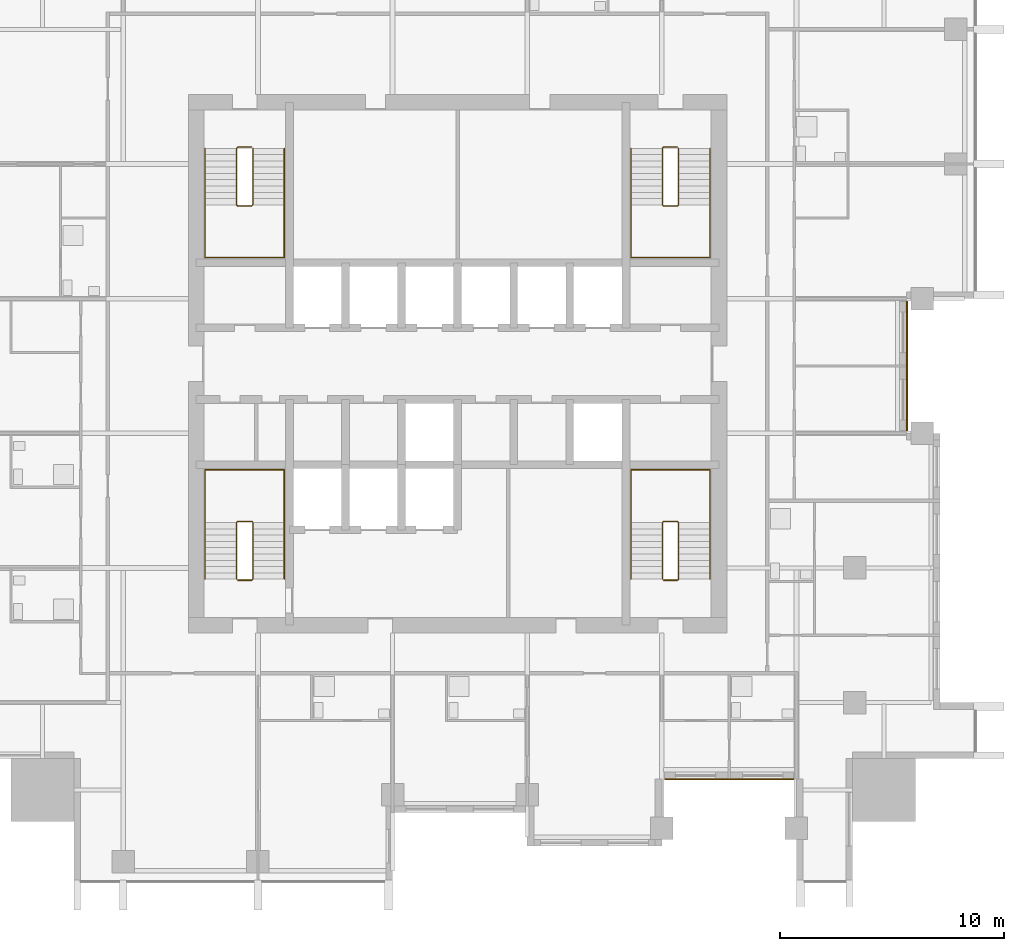
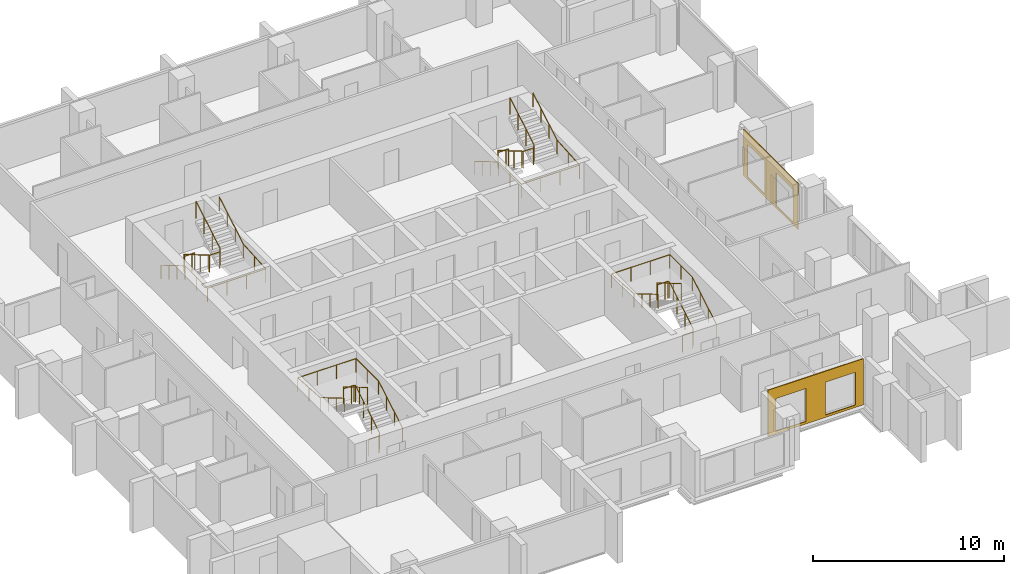
# One storey, part 9 of 10: 8 railings, 2 coverings.
"""IFC4 building model written with IfcOpenShell, lengths in metres."""

import ifcopenshell
import ifcopenshell.guid

model = None  # the IFC model being written
_history = None  # IfcOwnerHistory: only IFC2X3 demands one
_inside = {}  # id of a spatial element -> (the spatial element, [elements in it])
_under = {}  # id of a project, library or spatial element -> (it, [spatial elements below it])
_declared = {}  # id of a project -> (the project, [libraries it declares])
_typed = {}  # id of a type object -> (the type object, [elements of that type])
_made_of = {}  # id of a material, layer set ... -> (it, [elements and type objects made of it])


def new_model(schema):
    """Start an empty IFC model of exactly this schema.

    Asked for "IFC4X3", IfcOpenShell would pick the latest addendum, in which some entities
    have other attributes; the version numbers below select the first issue.
    IFC2X3 requires an IfcOwnerHistory on every rooted entity: one is made here for all.
    """
    global model, _history
    if schema == "IFC4X3":
        model = ifcopenshell.file(schema_version=(4, 3, 0, 0))
    else:
        model = ifcopenshell.file(schema=schema)
    _inside.clear()
    _under.clear()
    _declared.clear()
    _typed.clear()
    _made_of.clear()
    _history = None
    if model.schema == "IFC2X3":
        org = make("IfcOrganization", Name="unknown")
        user = make(
            "IfcPersonAndOrganization",
            ThePerson=make("IfcPerson", FamilyName="unknown"),
            TheOrganization=org,
        )
        app = make(
            "IfcApplication",
            ApplicationDeveloper=org,
            Version="unknown",
            ApplicationFullName="unknown",
            ApplicationIdentifier="unknown",
        )
        _history = make(
            "IfcOwnerHistory",
            OwningUser=user,
            OwningApplication=app,
            ChangeAction="ADDED",
            CreationDate=0,
        )
    return model


def make(cls, **values):
    """One entity of the class cls with the attributes given. An attribute that is None is left unset."""
    return model.create_entity(
        cls, **{name: value for name, value in values.items() if value is not None}
    )


def rooted(cls, **values):
    """An entity with a GlobalId (a new one), such as an element, a storey or a relation."""
    return make(cls, GlobalId=ifcopenshell.guid.new(), OwnerHistory=_history, **values)


def si_unit(unit_type, name, prefix=None):
    """IfcSIUnit, for example si_unit("LENGTHUNIT", "METRE", prefix="MILLI")."""
    return make("IfcSIUnit", UnitType=unit_type, Prefix=prefix, Name=name)


def assignment(units):
    """IfcUnitAssignment: the units of a project."""
    return None if units is None else make("IfcUnitAssignment", Units=units)


def point(xyz):
    """IfcCartesianPoint."""
    return None if xyz is None else make("IfcCartesianPoint", Coordinates=xyz)


def direction(xyz):
    """IfcDirection."""
    return None if xyz is None else make("IfcDirection", DirectionRatios=xyz)


def frame(location, z_axis=None, x_axis=None):
    """IfcAxis2Placement3D, a coordinate frame: its origin and axes. An axis left out is left unset."""
    return make(
        "IfcAxis2Placement3D",
        Location=point(location),
        Axis=direction(z_axis),
        RefDirection=direction(x_axis),
    )


def frame_2d(location, x_axis=None):
    """IfcAxis2Placement2D, a coordinate frame in the plane: its origin and x axis."""
    return make(
        "IfcAxis2Placement2D", Location=point(location), RefDirection=direction(x_axis)
    )


def origin():
    """The frame at (0, 0, 0) with its axes left unset."""
    return frame((0.0, 0.0, 0.0))


def origin_2d():
    """The frame at (0, 0) in the plane with its x axis left unset."""
    return frame_2d((0.0, 0.0))


def place(relative_to, where):
    """IfcLocalPlacement: puts the frame where relative to a parent placement (None: the world)."""
    return make(
        "IfcLocalPlacement", PlacementRelTo=relative_to, RelativePlacement=where
    )


def context(
    kind, dimensions, precision=None, world=None, true_north=None, identifier=None
):
    """IfcGeometricRepresentationContext, for example the 3D "Model" context."""
    return make(
        "IfcGeometricRepresentationContext",
        ContextIdentifier=identifier,
        ContextType=kind,
        CoordinateSpaceDimension=dimensions,
        Precision=precision,
        WorldCoordinateSystem=world,
        TrueNorth=true_north,
    )


def subcontext(parent, identifier, kind, view, scale=None):
    """IfcGeometricRepresentationSubContext, for example "Body" below "Model"."""
    return make(
        "IfcGeometricRepresentationSubContext",
        ContextIdentifier=identifier,
        ContextType=kind,
        ParentContext=parent,
        TargetScale=scale,
        TargetView=view,
    )


def project(units=None, contexts=None):
    """IfcProject with its units and contexts."""
    return rooted(
        "IfcProject",
        Name="project",
        RepresentationContexts=contexts,
        UnitsInContext=assignment(units),
    )


def spatial(cls, under=None, at=None, **own):
    """A site, building, storey or space (cls), placed at a placement, below another one or the project."""
    s = rooted(cls, ObjectPlacement=at, **own)
    if under is not None:
        _under.setdefault(under.id(), (under, []))[1].append(s)
    return s


def polyline(points):
    """IfcPolyline through the points."""
    return make("IfcPolyline", Points=[point(p) for p in points])


def profile(cls, at=None, kind="AREA", **sizes):
    """A parametric profile (cls). Its sizes go by their IFC names, for example OverallWidth=200.0."""
    return make(cls, ProfileType=kind, Position=at, **sizes)


def circle(**sizes):
    """IfcCircleProfileDef."""
    return profile("IfcCircleProfileDef", **sizes)


def outline(outer, holes=None, kind="AREA"):
    """IfcArbitraryClosedProfileDef: a profile drawn as a closed curve; with holes, ...WithVoids."""
    if holes is None:
        return make("IfcArbitraryClosedProfileDef", ProfileType=kind, OuterCurve=outer)
    return make(
        "IfcArbitraryProfileDefWithVoids",
        ProfileType=kind,
        OuterCurve=outer,
        InnerCurves=holes,
    )


def extrude(swept, where, along, depth):
    """IfcExtrudedAreaSolid: the profile swept, set in the frame where, extruded along a direction by depth."""
    return make(
        "IfcExtrudedAreaSolid",
        SweptArea=swept,
        Position=where,
        ExtrudedDirection=direction(along),
        Depth=depth,
    )


def shape(context_of_items, identifier, shape_type, items):
    """IfcShapeRepresentation: the items that make up one representation, for example the "Body"."""
    return make(
        "IfcShapeRepresentation",
        ContextOfItems=context_of_items,
        RepresentationIdentifier=identifier,
        RepresentationType=shape_type,
        Items=items,
    )


def material(Name=None, Category=None):
    """IfcMaterial."""
    return make("IfcMaterial", Name=Name, Category=Category)


def layer(
    of_material, thickness, ventilated=None, Name=None, Category=None, Priority=None
):
    """IfcMaterialLayer: one layer of a wall or slab, of a material (None: an air gap)."""
    return make(
        "IfcMaterialLayer",
        Material=of_material,
        LayerThickness=thickness,
        IsVentilated=ventilated,
        Name=Name,
        Category=Category,
        Priority=Priority,
    )


def layer_set(layers, Name=None):
    """IfcMaterialLayerSet."""
    return make("IfcMaterialLayerSet", MaterialLayers=layers, LayerSetName=Name)


def made_of(thing, what):
    """Note that an element or type object is made of a material, layer set ...; save() writes the relation."""
    if what is not None:
        _made_of.setdefault(what.id(), (what, []))[1].append(thing)
    return thing


def type_object(cls, material=None, **own):
    """A type object (cls), such as IfcWallType, which elements share."""
    return made_of(rooted(cls, **own), material)


def element(
    cls,
    number,
    at=None,
    inside=None,
    cuts=None,
    type_object=None,
    material=None,
    context=None,
    identifier="Body",
    shape_type=None,
    held_by="IfcProductDefinitionShape",
    body=None,
    shapes=None,
    **own,
):
    """One element of the class cls, such as IfcWall. Its Tag is "e" and its number.

    at: its placement. inside: the storey or other place that contains it. cuts: it is an
    opening in that element (IfcRelVoidsElement). A single representation is given by context,
    identifier, shape_type and body (its items); several are given by shapes. held_by: the class
    of the entity that holds the representations. save() writes the other relations.
    """
    e = rooted(cls, Tag="e%d" % number, ObjectPlacement=at, **own)
    if body is not None:
        shapes = [shape(context, identifier, shape_type, body)]
    if shapes is not None:
        e.Representation = make(held_by, Representations=shapes)
    if inside is not None:
        _inside.setdefault(inside.id(), (inside, []))[1].append(e)
    if cuts is not None:
        rooted(
            "IfcRelVoidsElement", RelatingBuildingElement=cuts, RelatedOpeningElement=e
        )
    if type_object is not None:
        _typed.setdefault(type_object.id(), (type_object, []))[1].append(e)
    return made_of(e, material)


def aggregate(whole, parts):
    """IfcRelAggregates: a whole, such as a stair, and the parts it consists of."""
    return rooted("IfcRelAggregates", RelatingObject=whole, RelatedObjects=parts)


def save(model, path):
    """Write the relations noted so far, then the file.

    IfcRelAggregates (storeys below a building ...), IfcRelContainedInSpatialStructure (elements
    in a storey), IfcRelDefinesByType, IfcRelAssociatesMaterial and IfcRelDeclares: one each for
    every whole, place, type object, material and project.
    """
    for whole, parts in _under.values():
        aggregate(whole, parts)
    for where, things in _inside.values():
        rooted(
            "IfcRelContainedInSpatialStructure",
            RelatedElements=things,
            RelatingStructure=where,
        )
    for kind, things in _typed.values():
        rooted("IfcRelDefinesByType", RelatedObjects=things, RelatingType=kind)
    for what, things in _made_of.values():
        rooted("IfcRelAssociatesMaterial", RelatedObjects=things, RelatingMaterial=what)
    for by, libraries in _declared.values():
        rooted("IfcRelDeclares", RelatingContext=by, RelatedDefinitions=libraries)
    model.write(path)


model = new_model("IFC4")

# Units and contexts
model_context = context("Model", 3, precision=1e-05, world=origin(), true_north=direction((0.0, 1.0)))
body_context = subcontext(model_context, "Body", "Model", "MODEL_VIEW")
ifc_project = project(units=[si_unit("LENGTHUNIT", "METRE"), si_unit("AREAUNIT", "SQUARE_METRE"), si_unit("VOLUMEUNIT", "CUBIC_METRE"), si_unit("PLANEANGLEUNIT", "RADIAN"), si_unit("MASSUNIT", "GRAM", prefix="KILO")], contexts=[model_context])

# Site, building, storey
site_placement = place(None, origin())
site = spatial("IfcSite", under=ifc_project, at=site_placement, CompositionType="ELEMENT")
building_placement = place(site_placement, origin())
building = spatial("IfcBuilding", under=site, at=building_placement, Name="Amberfall Residences", CompositionType="ELEMENT")
storey_placement = place(building_placement, frame((0.0, 0.0, 174.699951171875)))
storey = spatial("IfcBuildingStorey", under=building, at=storey_placement, Name="L47", CompositionType="ELEMENT", Elevation=174.699951171875)

# Coverings
ifc_material_1 = material(Name="Pale limestone cladding", Category="masonry")
ifc_layer = layer(ifc_material_1, 0.050048828125)
ifc_layer_set = layer_set([ifc_layer], Name="Limestone fascia 50")
covering_type = type_object("IfcCoveringType", Name="Limestone fascia 50", PredefinedType="CLADDING", material=ifc_layer_set)
for number, where, z_axis, x_axis, name in (
    (1, (83.719970703125, 27.0, 2.949951171875), (0.0, 1.0, 0.0), (1.0, 0.0, 0.0), "Pale limestone cladding L47 S"),
    (2, (94.5, 42.52001953125, 2.949951171875), (-1.0, 0.0, 0.0), (0.0, 1.0, 0.0), "Pale limestone cladding L47 E"),
):
    element("IfcCovering", number, at=place(storey_placement, frame(where, z_axis=z_axis, x_axis=x_axis)), inside=storey, type_object=covering_type, Name=name, PredefinedType="CLADDING", context=body_context, shape_type="SweptSolid", body=[
        extrude(outline(polyline([(0.0, 0.0), (5.760009765625, 0.0), (5.760009765625, 2.949951171875), (0.0, 2.949951171875), (0.0, 0.0)]), holes=[polyline([(0.47998046875, 0.699951171875), (2.280029296875, 0.699951171875), (2.280029296875, 2.7998046875), (0.47998046875, 2.7998046875), (0.47998046875, 0.699951171875)]), polyline([(3.47998046875, 0.699951171875), (5.280029296875, 0.699951171875), (5.280029296875, 2.7998046875), (3.47998046875, 2.7998046875), (3.47998046875, 0.699951171875)])]), origin(), (0.0, 0.0, -1.0), 0.050048828125),
    ])

# Railings
ifc_material_2 = material(Name="Stainless steel 316", Category="steel")
railing_type_1 = type_object("IfcRailingType", Name="Stair guard 1100", PredefinedType="GUARDRAIL", material=ifc_material_2)
railing_1_placement = place(storey_placement, frame((64.699951171875, 35.85009765625, 0.0)))
element("IfcRailing", 3, at=railing_1_placement, inside=storey, type_object=railing_type_1, Name="L47 stair 1 guard", PredefinedType="GUARDRAIL", context=body_context, shape_type="SweptSolid", body=[
    extrude(circle(Radius=0.02392578125, at=origin_2d()), frame((0.0, 0.0, 1.076171875), z_axis=(1.0, 0.0, 0.0), x_axis=(0.0, 1.0, 0.0)), (0.0, 0.0, 1.0), 0.625),
    extrude(circle(Radius=0.02392578125, at=origin_2d()), frame((0.625, 0.0, 1.076171875), z_axis=(0.278810427259, 0.277450376394, 0.919394384522), x_axis=(-0.705375805398, 0.708833529934, 0.0)), (0.0, 0.0, 1.0), 0.179443359375),
    extrude(circle(Radius=0.02392578125, at=origin_2d()), frame((0.675048828125, 0.0498046875, 1.2412109375), z_axis=(0.0, 0.86152411907, 0.507716645641), x_axis=(-1.0, 0.0, 0.0)), (0.0, 0.0, 1.0), 2.925048828125),
    extrude(circle(Radius=0.02392578125, at=origin_2d()), frame((0.675048828125, 2.56982421875, 2.72607421875), z_axis=(-0.707106781187, 0.707106781187, 0.0), x_axis=(-0.707106781187, -0.707106781187, 0.0)), (0.0, 0.0, 1.0), 0.07080078125),
    extrude(circle(Radius=0.02392578125, at=origin_2d()), frame((0.625, 2.619873046875, 2.72607421875), z_axis=(-1.0, 0.0, 0.0), x_axis=(0.0, -1.0, 0.0)), (0.0, 0.0, 1.0), 0.625),
    extrude(circle(Radius=0.02392578125, at=origin_2d()), frame((0.0, 2.619873046875, 2.72607421875), z_axis=(-0.279053652268, -0.279053652268, 0.918835196492), x_axis=(0.707106781187, -0.707106781187, 0.0)), (0.0, 0.0, 1.0), 0.179443359375),
    extrude(circle(Radius=0.02392578125, at=origin_2d()), frame((-0.050048828125, 2.56982421875, 2.89111328125), z_axis=(0.0, -0.86152411907, 0.507716645641), x_axis=(1.0, 0.0, 0.0)), (0.0, 0.0, 1.0), 2.925048828125),
    extrude(circle(Radius=0.02099609375, at=origin_2d()), origin(), (0.0, 0.0, 1.0), 1.052001953125),
    extrude(circle(Radius=0.02099609375, at=origin_2d()), frame((0.625, 0.0, 0.0)), (0.0, 0.0, 1.0), 1.052001953125),
    extrude(circle(Radius=0.02099609375, at=origin_2d()), frame((0.675048828125, 0.0498046875, 0.1650390625)), (0.0, 0.0, 1.0), 1.052001953125),
    extrude(circle(Radius=0.02099609375, at=origin_2d()), frame((0.675048828125, 0.889892578125, 0.66015625)), (0.0, 0.0, 1.0), 1.052001953125),
    extrude(circle(Radius=0.02099609375, at=origin_2d()), frame((0.675048828125, 1.729736328125, 1.155029296875)), (0.0, 0.0, 1.0), 1.052001953125),
    extrude(circle(Radius=0.02099609375, at=origin_2d()), frame((0.675048828125, 2.56982421875, 1.650146484375)), (0.0, 0.0, 1.0), 1.052001953125),
    extrude(circle(Radius=0.02099609375, at=origin_2d()), frame((0.625, 2.619873046875, 1.650146484375)), (0.0, 0.0, 1.0), 1.052001953125),
    extrude(circle(Radius=0.02099609375, at=origin_2d()), frame((0.0, 2.619873046875, 1.650146484375)), (0.0, 0.0, 1.0), 1.052001953125),
    extrude(circle(Radius=0.02099609375, at=origin_2d()), frame((-0.050048828125, 2.56982421875, 1.81494140625)), (0.0, 0.0, 1.0), 1.052001953125),
    extrude(circle(Radius=0.02099609375, at=origin_2d()), frame((-0.050048828125, 1.729736328125, 2.31005859375)), (0.0, 0.0, 1.0), 1.052001953125),
    extrude(circle(Radius=0.02099609375, at=origin_2d()), frame((-0.050048828125, 0.889892578125, 2.804931640625)), (0.0, 0.0, 1.0), 1.052001953125),
    extrude(circle(Radius=0.02099609375, at=origin_2d()), frame((-0.050048828125, 0.0498046875, 3.300048828125)), (0.0, 0.0, 1.0), 1.052001953125),
])
railing_2_placement = place(storey_placement, frame((83.675048828125, 35.85009765625, 0.0)))
element("IfcRailing", 4, at=railing_2_placement, inside=storey, type_object=railing_type_1, Name="L47 stair 2 guard", PredefinedType="GUARDRAIL", context=body_context, shape_type="SweptSolid", body=[
    extrude(circle(Radius=0.02392578125, at=origin_2d()), frame((0.0, 0.0, 1.076171875), z_axis=(1.0, 0.0, 0.0), x_axis=(0.0, 1.0, 0.0)), (0.0, 0.0, 1.0), 0.625),
    extrude(circle(Radius=0.02392578125, at=origin_2d()), frame((0.625, 0.0, 1.076171875), z_axis=(0.278810427259, 0.277450376394, 0.919394384522), x_axis=(-0.705375805398, 0.708833529934, 0.0)), (0.0, 0.0, 1.0), 0.179443359375),
    extrude(circle(Radius=0.02392578125, at=origin_2d()), frame((0.675048828125, 0.0498046875, 1.2412109375), z_axis=(0.0, 0.86152411907, 0.507716645641), x_axis=(-1.0, 0.0, 0.0)), (0.0, 0.0, 1.0), 2.925048828125),
    extrude(circle(Radius=0.02392578125, at=origin_2d()), frame((0.675048828125, 2.56982421875, 2.72607421875), z_axis=(-0.707106781187, 0.707106781187, 0.0), x_axis=(-0.707106781187, -0.707106781187, 0.0)), (0.0, 0.0, 1.0), 0.07080078125),
    extrude(circle(Radius=0.02392578125, at=origin_2d()), frame((0.625, 2.619873046875, 2.72607421875), z_axis=(-1.0, 0.0, 0.0), x_axis=(0.0, -1.0, 0.0)), (0.0, 0.0, 1.0), 0.625),
    extrude(circle(Radius=0.02392578125, at=origin_2d()), frame((0.0, 2.619873046875, 2.72607421875), z_axis=(-0.279053652268, -0.279053652268, 0.918835196492), x_axis=(0.707106781187, -0.707106781187, 0.0)), (0.0, 0.0, 1.0), 0.179443359375),
    extrude(circle(Radius=0.02392578125, at=origin_2d()), frame((-0.050048828125, 2.56982421875, 2.89111328125), z_axis=(0.0, -0.86152411907, 0.507716645641), x_axis=(1.0, 0.0, 0.0)), (0.0, 0.0, 1.0), 2.925048828125),
    extrude(circle(Radius=0.02099609375, at=origin_2d()), origin(), (0.0, 0.0, 1.0), 1.052001953125),
    extrude(circle(Radius=0.02099609375, at=origin_2d()), frame((0.625, 0.0, 0.0)), (0.0, 0.0, 1.0), 1.052001953125),
    extrude(circle(Radius=0.02099609375, at=origin_2d()), frame((0.675048828125, 0.0498046875, 0.1650390625)), (0.0, 0.0, 1.0), 1.052001953125),
    extrude(circle(Radius=0.02099609375, at=origin_2d()), frame((0.675048828125, 0.889892578125, 0.66015625)), (0.0, 0.0, 1.0), 1.052001953125),
    extrude(circle(Radius=0.02099609375, at=origin_2d()), frame((0.675048828125, 1.729736328125, 1.155029296875)), (0.0, 0.0, 1.0), 1.052001953125),
    extrude(circle(Radius=0.02099609375, at=origin_2d()), frame((0.675048828125, 2.56982421875, 1.650146484375)), (0.0, 0.0, 1.0), 1.052001953125),
    extrude(circle(Radius=0.02099609375, at=origin_2d()), frame((0.625, 2.619873046875, 1.650146484375)), (0.0, 0.0, 1.0), 1.052001953125),
    extrude(circle(Radius=0.02099609375, at=origin_2d()), frame((0.0, 2.619873046875, 1.650146484375)), (0.0, 0.0, 1.0), 1.052001953125),
    extrude(circle(Radius=0.02099609375, at=origin_2d()), frame((-0.050048828125, 2.56982421875, 1.81494140625)), (0.0, 0.0, 1.0), 1.052001953125),
    extrude(circle(Radius=0.02099609375, at=origin_2d()), frame((-0.050048828125, 1.729736328125, 2.31005859375)), (0.0, 0.0, 1.0), 1.052001953125),
    extrude(circle(Radius=0.02099609375, at=origin_2d()), frame((-0.050048828125, 0.889892578125, 2.804931640625)), (0.0, 0.0, 1.0), 1.052001953125),
    extrude(circle(Radius=0.02099609375, at=origin_2d()), frame((-0.050048828125, 0.0498046875, 3.300048828125)), (0.0, 0.0, 1.0), 1.052001953125),
])
railing_3_placement = place(storey_placement, frame((84.300048828125, 55.14990234375, 0.0)))
element("IfcRailing", 5, at=railing_3_placement, inside=storey, type_object=railing_type_1, Name="L47 stair 3 guard", PredefinedType="GUARDRAIL", context=body_context, shape_type="SweptSolid", body=[
    extrude(circle(Radius=0.02392578125, at=origin_2d()), frame((0.0, 0.0, 1.076171875), z_axis=(-1.0, 0.0, 0.0), x_axis=(0.0, -1.0, 0.0)), (0.0, 0.0, 1.0), 0.625),
    extrude(circle(Radius=0.02392578125, at=origin_2d()), frame((-0.625, 0.0, 1.076171875), z_axis=(-0.278810427259, -0.277450376394, 0.919394384522), x_axis=(0.705375805398, -0.708833529934, 0.0)), (0.0, 0.0, 1.0), 0.179443359375),
    extrude(circle(Radius=0.02392578125, at=origin_2d()), frame((-0.675048828125, -0.0498046875, 1.2412109375), z_axis=(0.0, -0.86152411907, 0.507716645641), x_axis=(1.0, 0.0, 0.0)), (0.0, 0.0, 1.0), 2.925048828125),
    extrude(circle(Radius=0.02392578125, at=origin_2d()), frame((-0.675048828125, -2.56982421875, 2.72607421875), z_axis=(0.707106781187, -0.707106781187, 0.0), x_axis=(0.707106781187, 0.707106781187, 0.0)), (0.0, 0.0, 1.0), 0.07080078125),
    extrude(circle(Radius=0.02392578125, at=origin_2d()), frame((-0.625, -2.619873046875, 2.72607421875), z_axis=(1.0, 0.0, 0.0), x_axis=(0.0, 1.0, 0.0)), (0.0, 0.0, 1.0), 0.625),
    extrude(circle(Radius=0.02392578125, at=origin_2d()), frame((0.0, -2.619873046875, 2.72607421875), z_axis=(0.279053652268, 0.279053652268, 0.918835196492), x_axis=(-0.707106781187, 0.707106781187, 0.0)), (0.0, 0.0, 1.0), 0.179443359375),
    extrude(circle(Radius=0.02392578125, at=origin_2d()), frame((0.050048828125, -2.56982421875, 2.89111328125), z_axis=(0.0, 0.86152411907, 0.507716645641), x_axis=(-1.0, 0.0, 0.0)), (0.0, 0.0, 1.0), 2.925048828125),
    extrude(circle(Radius=0.02099609375, at=origin_2d()), origin(), (0.0, 0.0, 1.0), 1.052001953125),
    extrude(circle(Radius=0.02099609375, at=origin_2d()), frame((-0.625, 0.0, 0.0)), (0.0, 0.0, 1.0), 1.052001953125),
    extrude(circle(Radius=0.02099609375, at=origin_2d()), frame((-0.675048828125, -0.0498046875, 0.1650390625)), (0.0, 0.0, 1.0), 1.052001953125),
    extrude(circle(Radius=0.02099609375, at=origin_2d()), frame((-0.675048828125, -0.889892578125, 0.66015625)), (0.0, 0.0, 1.0), 1.052001953125),
    extrude(circle(Radius=0.02099609375, at=origin_2d()), frame((-0.675048828125, -1.729736328125, 1.155029296875)), (0.0, 0.0, 1.0), 1.052001953125),
    extrude(circle(Radius=0.02099609375, at=origin_2d()), frame((-0.675048828125, -2.56982421875, 1.650146484375)), (0.0, 0.0, 1.0), 1.052001953125),
    extrude(circle(Radius=0.02099609375, at=origin_2d()), frame((-0.625, -2.619873046875, 1.650146484375)), (0.0, 0.0, 1.0), 1.052001953125),
    extrude(circle(Radius=0.02099609375, at=origin_2d()), frame((0.0, -2.619873046875, 1.650146484375)), (0.0, 0.0, 1.0), 1.052001953125),
    extrude(circle(Radius=0.02099609375, at=origin_2d()), frame((0.050048828125, -2.56982421875, 1.81494140625)), (0.0, 0.0, 1.0), 1.052001953125),
    extrude(circle(Radius=0.02099609375, at=origin_2d()), frame((0.050048828125, -1.729736328125, 2.31005859375)), (0.0, 0.0, 1.0), 1.052001953125),
    extrude(circle(Radius=0.02099609375, at=origin_2d()), frame((0.050048828125, -0.889892578125, 2.804931640625)), (0.0, 0.0, 1.0), 1.052001953125),
    extrude(circle(Radius=0.02099609375, at=origin_2d()), frame((0.050048828125, -0.0498046875, 3.300048828125)), (0.0, 0.0, 1.0), 1.052001953125),
])
railing_4_placement = place(storey_placement, frame((65.324951171875, 55.14990234375, 0.0)))
element("IfcRailing", 6, at=railing_4_placement, inside=storey, type_object=railing_type_1, Name="L47 stair 4 guard", PredefinedType="GUARDRAIL", context=body_context, shape_type="SweptSolid", body=[
    extrude(circle(Radius=0.02392578125, at=origin_2d()), frame((0.0, 0.0, 1.076171875), z_axis=(-1.0, 0.0, 0.0), x_axis=(0.0, -1.0, 0.0)), (0.0, 0.0, 1.0), 0.625),
    extrude(circle(Radius=0.02392578125, at=origin_2d()), frame((-0.625, 0.0, 1.076171875), z_axis=(-0.278810427259, -0.277450376394, 0.919394384522), x_axis=(0.705375805398, -0.708833529934, 0.0)), (0.0, 0.0, 1.0), 0.179443359375),
    extrude(circle(Radius=0.02392578125, at=origin_2d()), frame((-0.675048828125, -0.0498046875, 1.2412109375), z_axis=(0.0, -0.86152411907, 0.507716645641), x_axis=(1.0, 0.0, 0.0)), (0.0, 0.0, 1.0), 2.925048828125),
    extrude(circle(Radius=0.02392578125, at=origin_2d()), frame((-0.675048828125, -2.56982421875, 2.72607421875), z_axis=(0.707106781187, -0.707106781187, 0.0), x_axis=(0.707106781187, 0.707106781187, 0.0)), (0.0, 0.0, 1.0), 0.07080078125),
    extrude(circle(Radius=0.02392578125, at=origin_2d()), frame((-0.625, -2.619873046875, 2.72607421875), z_axis=(1.0, 0.0, 0.0), x_axis=(0.0, 1.0, 0.0)), (0.0, 0.0, 1.0), 0.625),
    extrude(circle(Radius=0.02392578125, at=origin_2d()), frame((0.0, -2.619873046875, 2.72607421875), z_axis=(0.279053652268, 0.279053652268, 0.918835196492), x_axis=(-0.707106781187, 0.707106781187, 0.0)), (0.0, 0.0, 1.0), 0.179443359375),
    extrude(circle(Radius=0.02392578125, at=origin_2d()), frame((0.050048828125, -2.56982421875, 2.89111328125), z_axis=(0.0, 0.86152411907, 0.507716645641), x_axis=(-1.0, 0.0, 0.0)), (0.0, 0.0, 1.0), 2.925048828125),
    extrude(circle(Radius=0.02099609375, at=origin_2d()), origin(), (0.0, 0.0, 1.0), 1.052001953125),
    extrude(circle(Radius=0.02099609375, at=origin_2d()), frame((-0.625, 0.0, 0.0)), (0.0, 0.0, 1.0), 1.052001953125),
    extrude(circle(Radius=0.02099609375, at=origin_2d()), frame((-0.675048828125, -0.0498046875, 0.1650390625)), (0.0, 0.0, 1.0), 1.052001953125),
    extrude(circle(Radius=0.02099609375, at=origin_2d()), frame((-0.675048828125, -0.889892578125, 0.66015625)), (0.0, 0.0, 1.0), 1.052001953125),
    extrude(circle(Radius=0.02099609375, at=origin_2d()), frame((-0.675048828125, -1.729736328125, 1.155029296875)), (0.0, 0.0, 1.0), 1.052001953125),
    extrude(circle(Radius=0.02099609375, at=origin_2d()), frame((-0.675048828125, -2.56982421875, 1.650146484375)), (0.0, 0.0, 1.0), 1.052001953125),
    extrude(circle(Radius=0.02099609375, at=origin_2d()), frame((-0.625, -2.619873046875, 1.650146484375)), (0.0, 0.0, 1.0), 1.052001953125),
    extrude(circle(Radius=0.02099609375, at=origin_2d()), frame((0.0, -2.619873046875, 1.650146484375)), (0.0, 0.0, 1.0), 1.052001953125),
    extrude(circle(Radius=0.02099609375, at=origin_2d()), frame((0.050048828125, -2.56982421875, 1.81494140625)), (0.0, 0.0, 1.0), 1.052001953125),
    extrude(circle(Radius=0.02099609375, at=origin_2d()), frame((0.050048828125, -1.729736328125, 2.31005859375)), (0.0, 0.0, 1.0), 1.052001953125),
    extrude(circle(Radius=0.02099609375, at=origin_2d()), frame((0.050048828125, -0.889892578125, 2.804931640625)), (0.0, 0.0, 1.0), 1.052001953125),
    extrude(circle(Radius=0.02099609375, at=origin_2d()), frame((0.050048828125, -0.0498046875, 3.300048828125)), (0.0, 0.0, 1.0), 1.052001953125),
])
railing_type_2 = type_object("IfcRailingType", Name="Stair handrail 900", PredefinedType="HANDRAIL", material=ifc_material_2)
railing_5_placement = place(storey_placement, frame((66.77490234375, 35.89990234375, 0.1650390625)))
element("IfcRailing", 7, at=railing_5_placement, inside=storey, type_object=railing_type_2, Name="L47 stair 1 handrail", PredefinedType="HANDRAIL", context=body_context, shape_type="SweptSolid", body=[
    extrude(circle(Radius=0.02392578125, at=origin_2d()), frame((0.0, 0.0, 0.8759765625), z_axis=(0.0, 0.86152411907, 0.507716645641), x_axis=(-1.0, 0.0, 0.0)), (0.0, 0.0, 1.0), 2.925048828125),
    extrude(circle(Radius=0.02392578125, at=origin_2d()), frame((0.0, 2.52001953125, 2.36083984375), z_axis=(0.0, 1.0, 0.0), x_axis=(-1.0, 0.0, 0.0)), (0.0, 0.0, 1.0), 2.35498046875),
    extrude(circle(Radius=0.02392578125, at=origin_2d()), frame((0.0, 4.875, 2.36083984375), z_axis=(-1.0, 0.0, 0.0), x_axis=(0.0, -1.0, 0.0)), (0.0, 0.0, 1.0), 3.52490234375),
    extrude(circle(Radius=0.02392578125, at=origin_2d()), frame((-3.52490234375, 4.875, 2.36083984375), z_axis=(0.0, -0.997560551741, 0.069806486878), x_axis=(1.0, 0.0, 0.0)), (0.0, 0.0, 1.0), 2.36083984375),
    extrude(circle(Radius=0.02392578125, at=origin_2d()), frame((-3.52490234375, 2.52001953125, 2.52587890625), z_axis=(0.0, -0.86152411907, 0.507716645641), x_axis=(1.0, 0.0, 0.0)), (0.0, 0.0, 1.0), 2.925048828125),
    extrude(circle(Radius=0.02099609375, at=origin_2d()), origin(), (0.0, 0.0, 1.0), 0.851806640625),
    extrude(circle(Radius=0.02099609375, at=origin_2d()), frame((0.0, 0.840087890625, 0.4951171875)), (0.0, 0.0, 1.0), 0.851806640625),
    extrude(circle(Radius=0.02099609375, at=origin_2d()), frame((0.0, 1.679931640625, 0.989990234375)), (0.0, 0.0, 1.0), 0.851806640625),
    extrude(circle(Radius=0.02099609375, at=origin_2d()), frame((0.0, 2.52001953125, 1.485107421875)), (0.0, 0.0, 1.0), 0.851806640625),
    extrude(circle(Radius=0.02099609375, at=origin_2d()), frame((0.0, 3.697509765625, 1.485107421875)), (0.0, 0.0, 1.0), 0.851806640625),
    extrude(circle(Radius=0.02099609375, at=origin_2d()), frame((0.0, 4.875, 1.485107421875)), (0.0, 0.0, 1.0), 0.851806640625),
    extrude(circle(Radius=0.02099609375, at=origin_2d()), frame((-1.175048828125, 4.875, 1.485107421875)), (0.0, 0.0, 1.0), 0.851806640625),
    extrude(circle(Radius=0.02099609375, at=origin_2d()), frame((-2.349853515625, 4.875, 1.485107421875)), (0.0, 0.0, 1.0), 0.851806640625),
    extrude(circle(Radius=0.02099609375, at=origin_2d()), frame((-3.52490234375, 4.875, 1.485107421875)), (0.0, 0.0, 1.0), 0.851806640625),
    extrude(circle(Radius=0.02099609375, at=origin_2d()), frame((-3.52490234375, 3.697509765625, 1.5673828125)), (0.0, 0.0, 1.0), 0.851806640625),
    extrude(circle(Radius=0.02099609375, at=origin_2d()), frame((-3.52490234375, 2.52001953125, 1.64990234375)), (0.0, 0.0, 1.0), 0.851806640625),
    extrude(circle(Radius=0.02099609375, at=origin_2d()), frame((-3.52490234375, 1.679931640625, 2.14501953125)), (0.0, 0.0, 1.0), 0.851806640625),
    extrude(circle(Radius=0.02099609375, at=origin_2d()), frame((-3.52490234375, 0.840087890625, 2.639892578125)), (0.0, 0.0, 1.0), 0.851806640625),
    extrude(circle(Radius=0.02099609375, at=origin_2d()), frame((-3.52490234375, 0.0, 3.135009765625)), (0.0, 0.0, 1.0), 0.851806640625),
])
railing_6_placement = place(storey_placement, frame((85.75, 35.89990234375, 0.1650390625)))
element("IfcRailing", 8, at=railing_6_placement, inside=storey, type_object=railing_type_2, Name="L47 stair 2 handrail", PredefinedType="HANDRAIL", context=body_context, shape_type="SweptSolid", body=[
    extrude(circle(Radius=0.02392578125, at=origin_2d()), frame((0.0, 0.0, 0.8759765625), z_axis=(0.0, 0.86152411907, 0.507716645641), x_axis=(-1.0, 0.0, 0.0)), (0.0, 0.0, 1.0), 2.925048828125),
    extrude(circle(Radius=0.02392578125, at=origin_2d()), frame((0.0, 2.52001953125, 2.36083984375), z_axis=(0.0, 1.0, 0.0), x_axis=(-1.0, 0.0, 0.0)), (0.0, 0.0, 1.0), 2.35498046875),
    extrude(circle(Radius=0.02392578125, at=origin_2d()), frame((0.0, 4.875, 2.36083984375), z_axis=(-1.0, 0.0, 0.0), x_axis=(0.0, -1.0, 0.0)), (0.0, 0.0, 1.0), 3.52490234375),
    extrude(circle(Radius=0.02392578125, at=origin_2d()), frame((-3.52490234375, 4.875, 2.36083984375), z_axis=(0.0, -0.997560551741, 0.069806486878), x_axis=(1.0, 0.0, 0.0)), (0.0, 0.0, 1.0), 2.36083984375),
    extrude(circle(Radius=0.02392578125, at=origin_2d()), frame((-3.52490234375, 2.52001953125, 2.52587890625), z_axis=(0.0, -0.86152411907, 0.507716645641), x_axis=(1.0, 0.0, 0.0)), (0.0, 0.0, 1.0), 2.925048828125),
    extrude(circle(Radius=0.02099609375, at=origin_2d()), origin(), (0.0, 0.0, 1.0), 0.851806640625),
    extrude(circle(Radius=0.02099609375, at=origin_2d()), frame((0.0, 0.840087890625, 0.4951171875)), (0.0, 0.0, 1.0), 0.851806640625),
    extrude(circle(Radius=0.02099609375, at=origin_2d()), frame((0.0, 1.679931640625, 0.989990234375)), (0.0, 0.0, 1.0), 0.851806640625),
    extrude(circle(Radius=0.02099609375, at=origin_2d()), frame((0.0, 2.52001953125, 1.485107421875)), (0.0, 0.0, 1.0), 0.851806640625),
    extrude(circle(Radius=0.02099609375, at=origin_2d()), frame((0.0, 3.697509765625, 1.485107421875)), (0.0, 0.0, 1.0), 0.851806640625),
    extrude(circle(Radius=0.02099609375, at=origin_2d()), frame((0.0, 4.875, 1.485107421875)), (0.0, 0.0, 1.0), 0.851806640625),
    extrude(circle(Radius=0.02099609375, at=origin_2d()), frame((-1.175048828125, 4.875, 1.485107421875)), (0.0, 0.0, 1.0), 0.851806640625),
    extrude(circle(Radius=0.02099609375, at=origin_2d()), frame((-2.349853515625, 4.875, 1.485107421875)), (0.0, 0.0, 1.0), 0.851806640625),
    extrude(circle(Radius=0.02099609375, at=origin_2d()), frame((-3.52490234375, 4.875, 1.485107421875)), (0.0, 0.0, 1.0), 0.851806640625),
    extrude(circle(Radius=0.02099609375, at=origin_2d()), frame((-3.52490234375, 3.697509765625, 1.5673828125)), (0.0, 0.0, 1.0), 0.851806640625),
    extrude(circle(Radius=0.02099609375, at=origin_2d()), frame((-3.52490234375, 2.52001953125, 1.64990234375)), (0.0, 0.0, 1.0), 0.851806640625),
    extrude(circle(Radius=0.02099609375, at=origin_2d()), frame((-3.52490234375, 1.679931640625, 2.14501953125)), (0.0, 0.0, 1.0), 0.851806640625),
    extrude(circle(Radius=0.02099609375, at=origin_2d()), frame((-3.52490234375, 0.840087890625, 2.639892578125)), (0.0, 0.0, 1.0), 0.851806640625),
    extrude(circle(Radius=0.02099609375, at=origin_2d()), frame((-3.52490234375, 0.0, 3.135009765625)), (0.0, 0.0, 1.0), 0.851806640625),
])
railing_7_placement = place(storey_placement, frame((82.22509765625, 55.10009765625, 0.1650390625)))
element("IfcRailing", 9, at=railing_7_placement, inside=storey, type_object=railing_type_2, Name="L47 stair 3 handrail", PredefinedType="HANDRAIL", context=body_context, shape_type="SweptSolid", body=[
    extrude(circle(Radius=0.02392578125, at=origin_2d()), frame((0.0, 0.0, 0.8759765625), z_axis=(0.0, -0.86152411907, 0.507716645641), x_axis=(1.0, 0.0, 0.0)), (0.0, 0.0, 1.0), 2.925048828125),
    extrude(circle(Radius=0.02392578125, at=origin_2d()), frame((0.0, -2.52001953125, 2.36083984375), z_axis=(0.0, -1.0, 0.0), x_axis=(1.0, 0.0, 0.0)), (0.0, 0.0, 1.0), 2.35498046875),
    extrude(circle(Radius=0.02392578125, at=origin_2d()), frame((0.0, -4.875, 2.36083984375), z_axis=(1.0, 0.0, 0.0), x_axis=(0.0, 1.0, 0.0)), (0.0, 0.0, 1.0), 3.52490234375),
    extrude(circle(Radius=0.02392578125, at=origin_2d()), frame((3.52490234375, -4.875, 2.36083984375), z_axis=(0.0, 0.997560551741, 0.069806486878), x_axis=(-1.0, 0.0, 0.0)), (0.0, 0.0, 1.0), 2.36083984375),
    extrude(circle(Radius=0.02392578125, at=origin_2d()), frame((3.52490234375, -2.52001953125, 2.52587890625), z_axis=(0.0, 0.86152411907, 0.507716645641), x_axis=(-1.0, 0.0, 0.0)), (0.0, 0.0, 1.0), 2.925048828125),
    extrude(circle(Radius=0.02099609375, at=origin_2d()), origin(), (0.0, 0.0, 1.0), 0.851806640625),
    extrude(circle(Radius=0.02099609375, at=origin_2d()), frame((0.0, -0.840087890625, 0.4951171875)), (0.0, 0.0, 1.0), 0.851806640625),
    extrude(circle(Radius=0.02099609375, at=origin_2d()), frame((0.0, -1.679931640625, 0.989990234375)), (0.0, 0.0, 1.0), 0.851806640625),
    extrude(circle(Radius=0.02099609375, at=origin_2d()), frame((0.0, -2.52001953125, 1.485107421875)), (0.0, 0.0, 1.0), 0.851806640625),
    extrude(circle(Radius=0.02099609375, at=origin_2d()), frame((0.0, -3.697509765625, 1.485107421875)), (0.0, 0.0, 1.0), 0.851806640625),
    extrude(circle(Radius=0.02099609375, at=origin_2d()), frame((0.0, -4.875, 1.485107421875)), (0.0, 0.0, 1.0), 0.851806640625),
    extrude(circle(Radius=0.02099609375, at=origin_2d()), frame((1.175048828125, -4.875, 1.485107421875)), (0.0, 0.0, 1.0), 0.851806640625),
    extrude(circle(Radius=0.02099609375, at=origin_2d()), frame((2.349853515625, -4.875, 1.485107421875)), (0.0, 0.0, 1.0), 0.851806640625),
    extrude(circle(Radius=0.02099609375, at=origin_2d()), frame((3.52490234375, -4.875, 1.485107421875)), (0.0, 0.0, 1.0), 0.851806640625),
    extrude(circle(Radius=0.02099609375, at=origin_2d()), frame((3.52490234375, -3.697509765625, 1.5673828125)), (0.0, 0.0, 1.0), 0.851806640625),
    extrude(circle(Radius=0.02099609375, at=origin_2d()), frame((3.52490234375, -2.52001953125, 1.64990234375)), (0.0, 0.0, 1.0), 0.851806640625),
    extrude(circle(Radius=0.02099609375, at=origin_2d()), frame((3.52490234375, -1.679931640625, 2.14501953125)), (0.0, 0.0, 1.0), 0.851806640625),
    extrude(circle(Radius=0.02099609375, at=origin_2d()), frame((3.52490234375, -0.840087890625, 2.639892578125)), (0.0, 0.0, 1.0), 0.851806640625),
    extrude(circle(Radius=0.02099609375, at=origin_2d()), frame((3.52490234375, 0.0, 3.135009765625)), (0.0, 0.0, 1.0), 0.851806640625),
])
railing_8_placement = place(storey_placement, frame((63.25, 55.10009765625, 0.1650390625)))
element("IfcRailing", 10, at=railing_8_placement, inside=storey, type_object=railing_type_2, Name="L47 stair 4 handrail", PredefinedType="HANDRAIL", context=body_context, shape_type="SweptSolid", body=[
    extrude(circle(Radius=0.02392578125, at=origin_2d()), frame((0.0, 0.0, 0.8759765625), z_axis=(0.0, -0.86152411907, 0.507716645641), x_axis=(1.0, 0.0, 0.0)), (0.0, 0.0, 1.0), 2.925048828125),
    extrude(circle(Radius=0.02392578125, at=origin_2d()), frame((0.0, -2.52001953125, 2.36083984375), z_axis=(0.0, -1.0, 0.0), x_axis=(1.0, 0.0, 0.0)), (0.0, 0.0, 1.0), 2.35498046875),
    extrude(circle(Radius=0.02392578125, at=origin_2d()), frame((0.0, -4.875, 2.36083984375), z_axis=(1.0, 0.0, 0.0), x_axis=(0.0, 1.0, 0.0)), (0.0, 0.0, 1.0), 3.52490234375),
    extrude(circle(Radius=0.02392578125, at=origin_2d()), frame((3.52490234375, -4.875, 2.36083984375), z_axis=(0.0, 0.997560551741, 0.069806486878), x_axis=(-1.0, 0.0, 0.0)), (0.0, 0.0, 1.0), 2.36083984375),
    extrude(circle(Radius=0.02392578125, at=origin_2d()), frame((3.52490234375, -2.52001953125, 2.52587890625), z_axis=(0.0, 0.86152411907, 0.507716645641), x_axis=(-1.0, 0.0, 0.0)), (0.0, 0.0, 1.0), 2.925048828125),
    extrude(circle(Radius=0.02099609375, at=origin_2d()), origin(), (0.0, 0.0, 1.0), 0.851806640625),
    extrude(circle(Radius=0.02099609375, at=origin_2d()), frame((0.0, -0.840087890625, 0.4951171875)), (0.0, 0.0, 1.0), 0.851806640625),
    extrude(circle(Radius=0.02099609375, at=origin_2d()), frame((0.0, -1.679931640625, 0.989990234375)), (0.0, 0.0, 1.0), 0.851806640625),
    extrude(circle(Radius=0.02099609375, at=origin_2d()), frame((0.0, -2.52001953125, 1.485107421875)), (0.0, 0.0, 1.0), 0.851806640625),
    extrude(circle(Radius=0.02099609375, at=origin_2d()), frame((0.0, -3.697509765625, 1.485107421875)), (0.0, 0.0, 1.0), 0.851806640625),
    extrude(circle(Radius=0.02099609375, at=origin_2d()), frame((0.0, -4.875, 1.485107421875)), (0.0, 0.0, 1.0), 0.851806640625),
    extrude(circle(Radius=0.02099609375, at=origin_2d()), frame((1.175048828125, -4.875, 1.485107421875)), (0.0, 0.0, 1.0), 0.851806640625),
    extrude(circle(Radius=0.02099609375, at=origin_2d()), frame((2.349853515625, -4.875, 1.485107421875)), (0.0, 0.0, 1.0), 0.851806640625),
    extrude(circle(Radius=0.02099609375, at=origin_2d()), frame((3.52490234375, -4.875, 1.485107421875)), (0.0, 0.0, 1.0), 0.851806640625),
    extrude(circle(Radius=0.02099609375, at=origin_2d()), frame((3.52490234375, -3.697509765625, 1.5673828125)), (0.0, 0.0, 1.0), 0.851806640625),
    extrude(circle(Radius=0.02099609375, at=origin_2d()), frame((3.52490234375, -2.52001953125, 1.64990234375)), (0.0, 0.0, 1.0), 0.851806640625),
    extrude(circle(Radius=0.02099609375, at=origin_2d()), frame((3.52490234375, -1.679931640625, 2.14501953125)), (0.0, 0.0, 1.0), 0.851806640625),
    extrude(circle(Radius=0.02099609375, at=origin_2d()), frame((3.52490234375, -0.840087890625, 2.639892578125)), (0.0, 0.0, 1.0), 0.851806640625),
    extrude(circle(Radius=0.02099609375, at=origin_2d()), frame((3.52490234375, 0.0, 3.135009765625)), (0.0, 0.0, 1.0), 0.851806640625),
])

save(model, "model.ifc")
